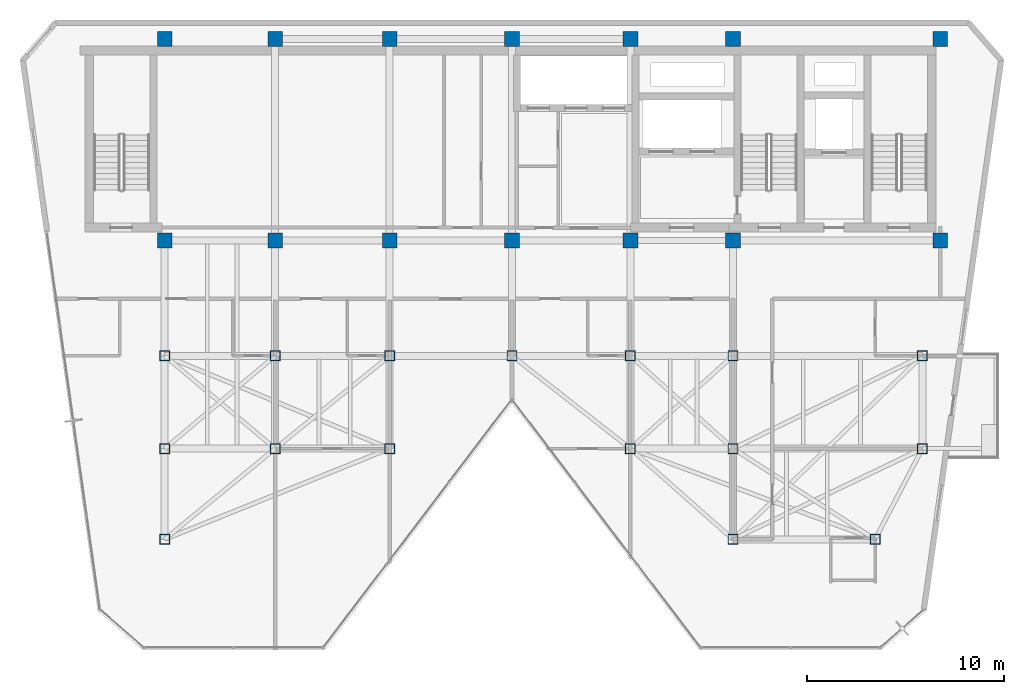
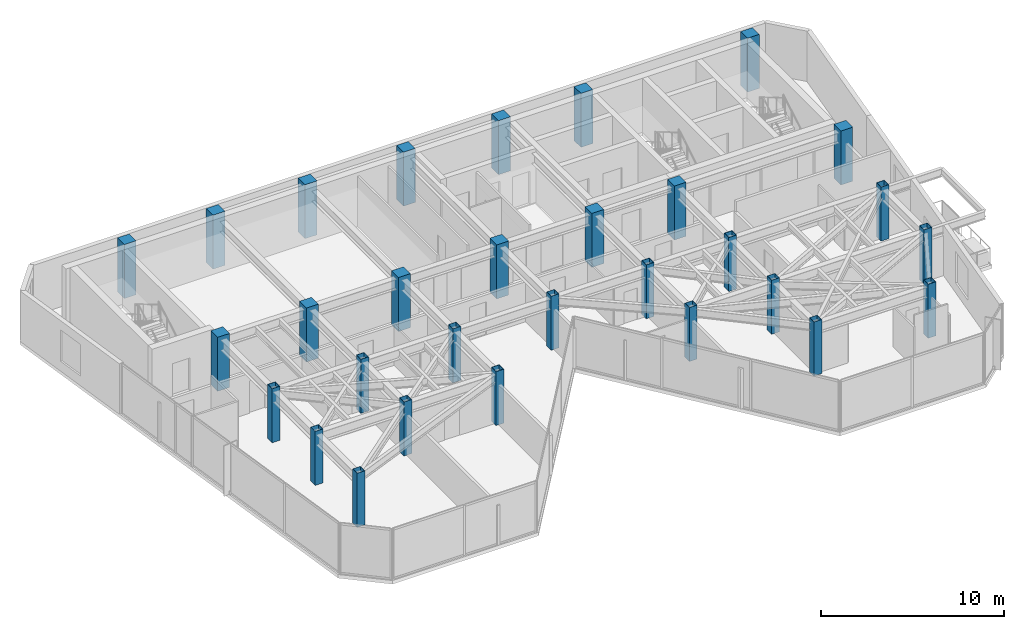
# One storey, part 1 of 20: 30 columns.
"""IFC4 building model written with IfcOpenShell, lengths in metres."""

from ifc_helpers import new_model, si_unit, direction, frame, origin, origin_2d, place, context, subcontext, project, spatial, rectangle, hollow_rectangle, extrude, material, material_profile, profile_set, type_object, element, save


model = new_model("IFC4")

# Units and contexts
model_context = context("Model", 3, precision=1e-05, world=origin(), true_north=direction((0.0, 1.0)))
body_context = subcontext(model_context, "Body", "Model", "MODEL_VIEW")
ifc_project = project(units=[si_unit("LENGTHUNIT", "METRE"), si_unit("AREAUNIT", "SQUARE_METRE"), si_unit("VOLUMEUNIT", "CUBIC_METRE"), si_unit("PLANEANGLEUNIT", "RADIAN"), si_unit("MASSUNIT", "GRAM", prefix="KILO")], contexts=[model_context])

# Site, building, storey
site_placement = place(None, origin())
site = spatial("IfcSite", under=ifc_project, at=site_placement, CompositionType="ELEMENT")
building_placement = place(site_placement, origin())
building = spatial("IfcBuilding", under=site, at=building_placement, Name="Kravanh Interchange Tower", CompositionType="ELEMENT")
storey_placement = place(building_placement, frame((0.0, 0.0, 238.199951171875)))
storey = spatial("IfcBuildingStorey", under=building, at=storey_placement, Name="L57", CompositionType="ELEMENT", Elevation=238.199951171875)

# Columns
ifc_material_1 = material(Name="Structural Steel S355", Category="steel")
ifc_material_profile_1 = material_profile(ifc_material_1, hollow_rectangle(XDim=0.5, YDim=0.5, WallThickness=0.02001953125, at=origin_2d()), Name="HSS500X500X20")
ifc_profile_set_1 = profile_set([ifc_material_profile_1], Name="Structural Steel S355")
column_type_1 = type_object("IfcColumnType", Name="Column HSS500X500X20 Structural Steel S355", PredefinedType="COLUMN", material=ifc_profile_set_1)
for number, where, z_axis, x_axis, name in (
    (1, (44.800048828125, 31.5, 0.0), (0.0, 0.0, 1.0), (1.0, 0.0, 0.0), "L57 Column CH_E1"),
    (2, (50.800048828125, 31.5, 0.0), (0.0, 0.0, 1.0), (1.0, 0.0, 0.0), "L57 Column CH_E2"),
    (3, (56.0, 31.5, 0.0), (0.0, 0.0, 1.0), (1.0, 0.0, 0.0), "L57 Column CH_E3"),
    (4, (65.60009765625, 31.5, 0.0), (0.0, 0.0, 1.0), (1.0, 0.0, 0.0), "L57 Column CH_E4"),
    (5, (38.60009765625, 31.5, 0.0), (0.0, 0.0, 1.0), (1.0, 0.0, 0.0), "L57 Column CH_E5"),
    (6, (32.800048828125, 31.5, 0.0), (0.0, 0.0, 1.0), (1.0, 0.0, 0.0), "L57 Column CH_E6"),
    (7, (27.199951171875, 31.5, 0.0), (0.0, 0.0, 1.0), (1.0, 0.0, 0.0), "L57 Column CH_E7"),
    (8, (38.60009765625, 26.800048828125, 0.0), (0.0, 0.0, 1.0), (1.0, 0.0, 0.0), "L57 Column CH_S1"),
    (9, (50.800048828125, 26.800048828125, 0.0), (0.0, 0.0, 1.0), (1.0, 0.0, 0.0), "L57 Column CH_S2"),
    (10, (56.0, 26.800048828125, 0.0), (0.0, 0.0, 1.0), (1.0, 0.0, 0.0), "L57 Column CH_S3"),
    (11, (65.60009765625, 26.800048828125, 0.0), (0.0, 0.0, 1.0), (1.0, 0.0, 0.0), "L57 Column CH_S4"),
    (12, (56.0, 22.199951171875, 0.0), (0.0, 0.0, 1.0), (1.0, 0.0, 0.0), "L57 Column CH_S5"),
    (13, (63.199951171875, 22.199951171875, 0.0), (0.0, 0.0, 1.0), (1.0, 0.0, 0.0), "L57 Column CH_S6"),
    (14, (27.199951171875, 22.199951171875, 0.0), (0.0, 0.0, 1.0), (1.0, 0.0, 0.0), "L57 Column CH_W1"),
    (15, (27.199951171875, 26.800048828125, 0.0), (0.0, 0.0, 1.0), (1.0, 0.0, 0.0), "L57 Column CH_W1B"),
    (16, (32.800048828125, 26.800048828125, 0.0), (0.0, 0.0, 1.0), (1.0, 0.0, 0.0), "L57 Column CH_W3"),
):
    element("IfcColumn", number, at=place(storey_placement, frame(where, z_axis=z_axis, x_axis=x_axis)), inside=storey, type_object=column_type_1, Name=name, PredefinedType="COLUMN", context=body_context, shape_type="SweptSolid", body=[
        extrude(hollow_rectangle(XDim=0.5, YDim=0.5, WallThickness=0.02001953125, at=origin_2d()), origin(), (0.0, 0.0, 1.0), 3.60009765625),
    ])
ifc_material_2 = material(Name="Concrete C60/75", Category="concrete")
ifc_material_profile_2 = material_profile(ifc_material_2, rectangle(XDim=0.75, YDim=0.75, at=origin_2d()), Name="RC750X750")
ifc_profile_set_2 = profile_set([ifc_material_profile_2], Name="Concrete C60/75")
column_type_2 = type_object("IfcColumnType", Name="Column RC750X750 Concrete C60/75", PredefinedType="COLUMN", material=ifc_profile_set_2)
for number, where, z_axis, x_axis, name in (
    (17, (66.5, 47.550048828125, 0.0), (0.0, 0.0, 1.0), (1.0, 0.0, 0.0), "L57 Column CS01"),
    (18, (56.0, 47.550048828125, 0.0), (0.0, 0.0, 1.0), (1.0, 0.0, 0.0), "L57 Column CS02"),
    (19, (66.5, 37.35009765625, 0.0), (0.0, 0.0, 1.0), (1.0, 0.0, 0.0), "L57 Column CS03"),
    (20, (56.0, 37.35009765625, 0.0), (0.0, 0.0, 1.0), (1.0, 0.0, 0.0), "L57 Column CS04"),
    (21, (50.800048828125, 47.550048828125, 0.0), (0.0, 0.0, 1.0), (1.0, 0.0, 0.0), "L57 Column CS05"),
    (22, (50.800048828125, 37.35009765625, 0.0), (0.0, 0.0, 1.0), (1.0, 0.0, 0.0), "L57 Column CS06"),
    (23, (44.800048828125, 37.35009765625, 0.0), (0.0, 0.0, 1.0), (1.0, 0.0, 0.0), "L57 Column CS07"),
    (24, (44.800048828125, 47.550048828125, 0.0), (0.0, 0.0, 1.0), (1.0, 0.0, 0.0), "L57 Column CS08"),
    (25, (38.60009765625, 37.35009765625, 0.0), (0.0, 0.0, 1.0), (1.0, 0.0, 0.0), "L57 Column CS09"),
    (26, (38.60009765625, 47.550048828125, 0.0), (0.0, 0.0, 1.0), (1.0, 0.0, 0.0), "L57 Column CS10"),
    (27, (32.800048828125, 37.35009765625, 0.0), (0.0, 0.0, 1.0), (1.0, 0.0, 0.0), "L57 Column CS11"),
    (28, (32.800048828125, 47.550048828125, 0.0), (0.0, 0.0, 1.0), (1.0, 0.0, 0.0), "L57 Column CS12"),
    (29, (27.199951171875, 37.35009765625, 0.0), (0.0, 0.0, 1.0), (1.0, 0.0, 0.0), "L57 Column CS13"),
    (30, (27.199951171875, 47.550048828125, 0.0), (0.0, 0.0, 1.0), (1.0, 0.0, 0.0), "L57 Column CS14"),
):
    element("IfcColumn", number, at=place(storey_placement, frame(where, z_axis=z_axis, x_axis=x_axis)), inside=storey, type_object=column_type_2, Name=name, PredefinedType="COLUMN", context=body_context, shape_type="SweptSolid", body=[
        extrude(rectangle(XDim=0.75, YDim=0.75, at=origin_2d()), origin(), (0.0, 0.0, 1.0), 3.60009765625),
    ])

save(model, "model.ifc")
